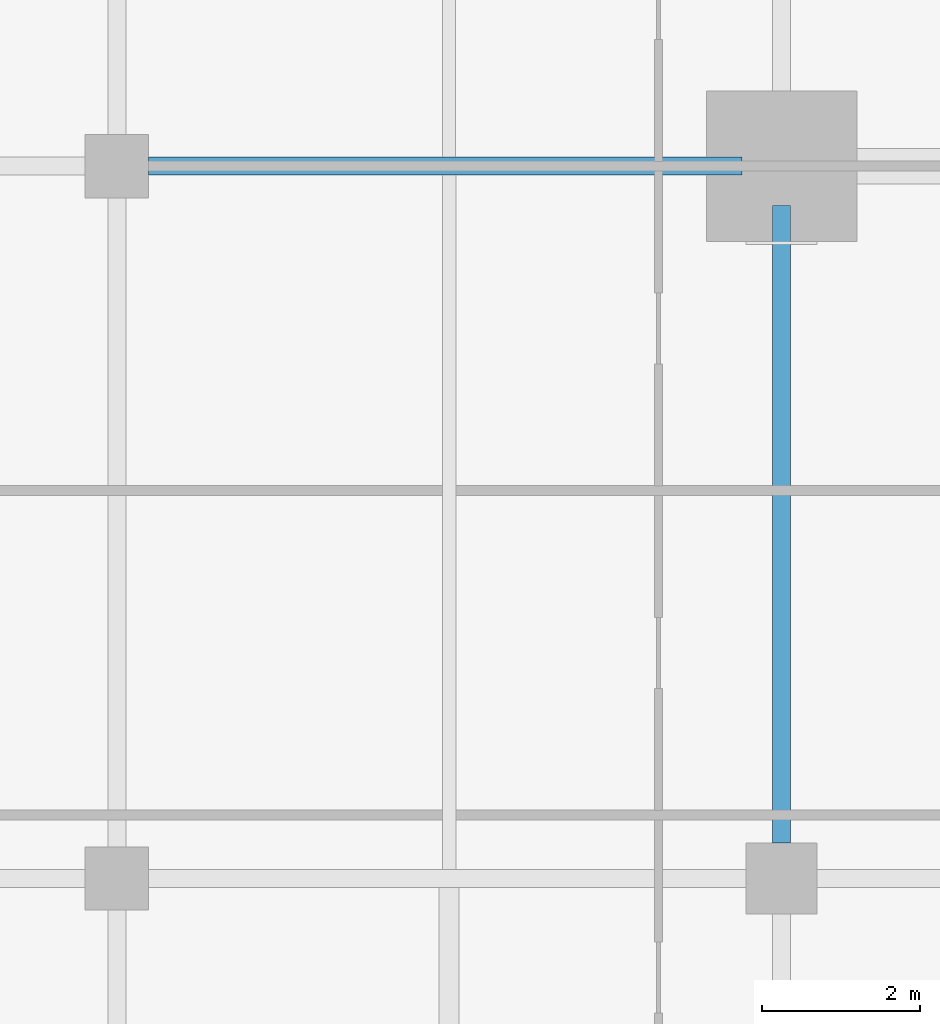
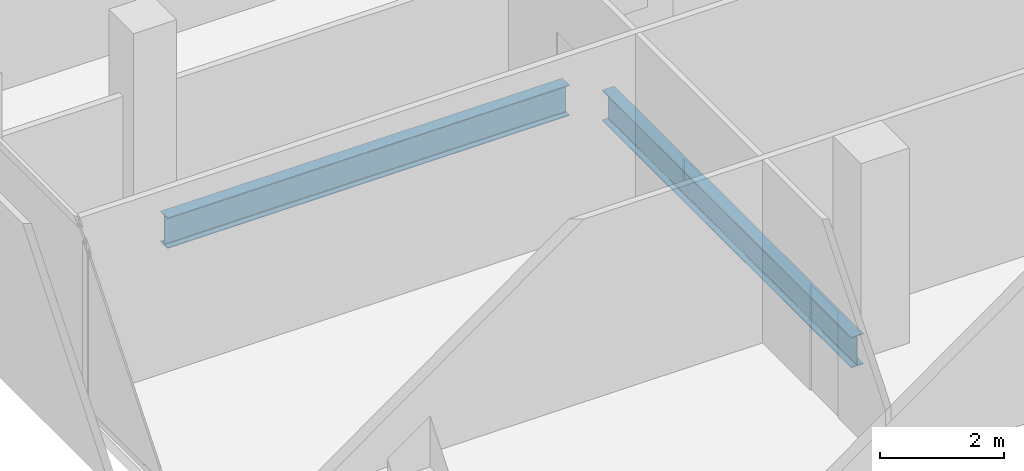
# One storey, part 9 of 34: 2 beams.
"""IFC4 building model written with IfcOpenShell, lengths in metres."""

from ifc_helpers import new_model, si_unit, direction, frame, origin, origin_2d, place, context, subcontext, project, spatial, i_section, extrude, material, material_profile, profile_set, type_object, element, save


model = new_model("IFC4")

# Units and contexts
model_context = context("Model", 3, precision=1e-05, world=origin(), true_north=direction((0.0, 1.0)))
body_context = subcontext(model_context, "Body", "Model", "MODEL_VIEW")
ifc_project = project(units=[si_unit("LENGTHUNIT", "METRE"), si_unit("AREAUNIT", "SQUARE_METRE"), si_unit("VOLUMEUNIT", "CUBIC_METRE"), si_unit("PLANEANGLEUNIT", "RADIAN"), si_unit("MASSUNIT", "GRAM", prefix="KILO")], contexts=[model_context])

# Site, building, storey
site_placement = place(None, origin())
site = spatial("IfcSite", under=ifc_project, at=site_placement, CompositionType="ELEMENT")
building_placement = place(site_placement, origin())
building = spatial("IfcBuilding", under=site, at=building_placement, Name="Maruvema Waterfront Hotel and Observation Tower", CompositionType="ELEMENT")
storey_placement = place(building_placement, frame((0.0, 0.0, 173.60009765625)))
storey = spatial("IfcBuildingStorey", under=building, at=storey_placement, Name="L42", CompositionType="ELEMENT", Elevation=173.60009765625)

# Beams
ifc_material = material(Name="Steel ASTM A572 Grade 50", Category="steel")
ifc_material_profile = material_profile(ifc_material, i_section(OverallWidth=0.22802734375, OverallDepth=0.60302734375, WebThickness=0.010498046875, FlangeThickness=0.014892578125, FilletRadius=0.01806640625, at=origin_2d()), Name="W610x101.0")
ifc_profile_set = profile_set([ifc_material_profile], Name="Steel ASTM A572 Grade 50")
beam_type = type_object("IfcBeamType", Name="Primary Floor Girder W610x101.0", PredefinedType="BEAM", material=ifc_profile_set)
beam_1_placement = place(storey_placement, frame((17.199951171875, 27.0, -0.54150390625), z_axis=(1.0, 0.0, 0.0), x_axis=(0.0, 1.0, 0.0)))
element("IfcBeam", 1, at=beam_1_placement, inside=storey, type_object=beam_type, Name="L42 Floor Girder EW-19", PredefinedType="BEAM", context=body_context, shape_type="SweptSolid", body=[
    extrude(i_section(OverallWidth=0.22802734375, OverallDepth=0.60302734375, WebThickness=0.010498046875, FlangeThickness=0.014892578125, FilletRadius=0.01806640625, at=origin_2d()), origin(), (0.0, 0.0, 1.0), 7.5),
])
beam_2_placement = place(storey_placement, frame((25.199951171875, 18.449951171875, -0.54150390625), z_axis=(0.0, 1.0, 0.0), x_axis=(-1.0, 0.0, 0.0)))
element("IfcBeam", 2, at=beam_2_placement, inside=storey, type_object=beam_type, Name="L42 Floor Girder NS-11", PredefinedType="BEAM", context=body_context, shape_type="SweptSolid", body=[
    extrude(i_section(OverallWidth=0.22802734375, OverallDepth=0.60302734375, WebThickness=0.010498046875, FlangeThickness=0.014892578125, FilletRadius=0.01806640625, at=origin_2d()), origin(), (0.0, 0.0, 1.0), 8.050048828125),
])

save(model, "model.ifc")
